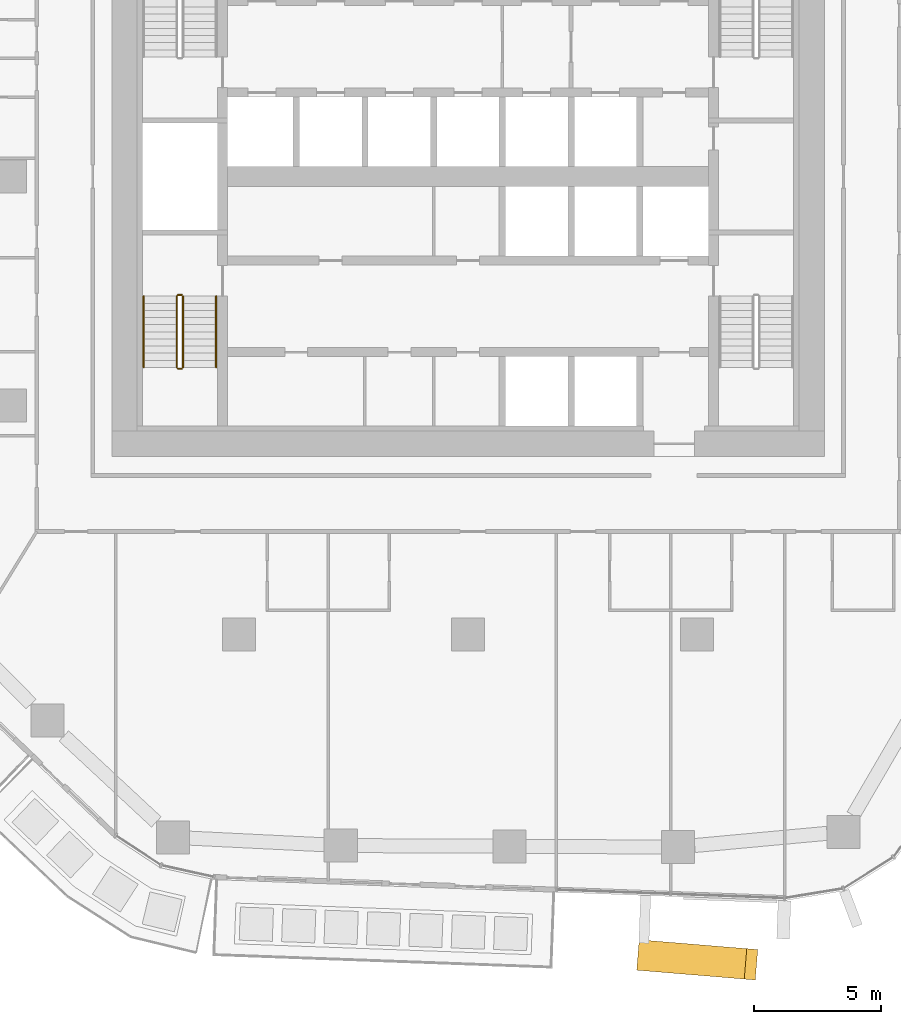
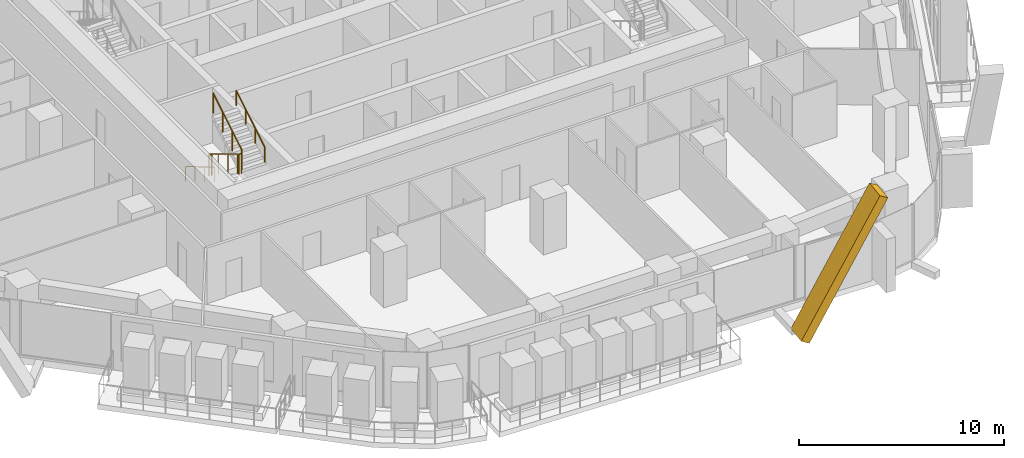
# One storey, part 20 of 24: 6 railings, 1 covering, 1 element without a shape of its own.
"""IFC4 building model written with IfcOpenShell, lengths in metres."""

from ifc_helpers import new_model, si_unit, direction, frame, origin, origin_2d, place, context, subcontext, project, spatial, rectangle, circle, extrude, material, layer, layer_set, material_profile, profile_set, type_object, element, aggregate, save


model = new_model("IFC4")

# Units and contexts
model_context = context("Model", 3, precision=1e-05, world=origin(), true_north=direction((0.0, 1.0)))
body_context = subcontext(model_context, "Body", "Model", "MODEL_VIEW")
ifc_project = project(units=[si_unit("LENGTHUNIT", "METRE"), si_unit("AREAUNIT", "SQUARE_METRE"), si_unit("VOLUMEUNIT", "CUBIC_METRE"), si_unit("PLANEANGLEUNIT", "RADIAN"), si_unit("MASSUNIT", "GRAM", prefix="KILO")], contexts=[model_context])

# Site, building, storey
site_placement = place(None, origin())
site = spatial("IfcSite", under=ifc_project, at=site_placement, CompositionType="ELEMENT")
building_placement = place(site_placement, origin())
building = spatial("IfcBuilding", under=site, at=building_placement, Name="Dongbaek Canopy Tower", CompositionType="ELEMENT")
storey_placement = place(building_placement, frame((0.0, 0.0, 113.699951171875)))
storey = spatial("IfcBuildingStorey", under=building, at=storey_placement, Name="L24", CompositionType="ELEMENT", Elevation=113.699951171875)

# Curtain wall, covering
ifc_material_1 = material(Name="Aluminium 6063-T6 pale anodised", Category="aluminium")
ifc_layer = layer(ifc_material_1, 0.199951171875)
ifc_layer_set = layer_set([ifc_layer], Name="CW-1 unitised tower curtain wall")
curtain_wall_type = type_object("IfcCurtainWallType", Name="CW-1 unitised tower curtain wall", PredefinedType="NOTDEFINED", material=ifc_layer_set)
curtain_wall_placement = place(storey_placement, origin())
curtain_wall = element("IfcCurtainWall", 1, at=curtain_wall_placement, inside=storey, type_object=curtain_wall_type, Name="CW-1 curtain wall F4.1", PredefinedType="NOTDEFINED")
ifc_material_2 = material(Name="Aluminium 6063-T6 pale metal fin", Category="aluminium")
ifc_material_profile = material_profile(ifc_material_2, rectangle(XDim=1.199951171875, YDim=0.5, at=origin_2d()), Name="Crease fin CF1 500 x 1200 pale metal")
ifc_profile_set = profile_set([ifc_material_profile], Name="Aluminium 6063-T6 pale metal fin")
covering_type = type_object("IfcCoveringType", Name="Crease fin CF1 500 x 1200 pale metal", PredefinedType="CLADDING", material=ifc_profile_set)
covering_placement = place(storey_placement, frame((6.8935546875, -30.607666015625, -0.199951171875), z_axis=(0.495657860659, -0.040958965098, 0.867551524893), x_axis=(0.082354853177, 0.996603069511, 0.0)))
covering = element("IfcCovering", 2, at=covering_placement, type_object=covering_type, Name="Crease fin L24 L26 F4", PredefinedType="CLADDING", context=body_context, shape_type="SweptSolid", body=[
    extrude(rectangle(XDim=1.199951171875, YDim=0.5, at=origin_2d()), origin(), (0.0, 0.0, 1.0), 8.529541015625),
])
aggregate(curtain_wall, [covering])

# Railings
ifc_material_3 = material(Name="Stainless steel tube and balusters", Category="steel")
railing_type_1 = type_object("IfcRailingType", Name="Stair guard 1200", PredefinedType="GUARDRAIL", material=ifc_material_3)
railing_1_placement = place(storey_placement, frame((-11.449951171875, -4.699951171875, 0.168212890625)))
element("IfcRailing", 3, at=railing_1_placement, inside=storey, type_object=railing_type_1, Name="L24 ST-D stair guard 1", PredefinedType="GUARDRAIL", context=body_context, shape_type="SweptSolid", body=[
    extrude(circle(Radius=0.02392578125, at=origin_2d()), frame((0.0, 0.0, 1.17578125), z_axis=(0.0, -0.857242210791, 0.514913383045), x_axis=(1.0, 0.0, 0.0)), (0.0, 0.0, 1.0), 3.266357421875),
    extrude(circle(Radius=0.02099609375, at=origin_2d()), origin(), (0.0, 0.0, 1.0), 1.15185546875),
    extrude(circle(Radius=0.02099609375, at=origin_2d()), frame((0.0, -0.933349609375, 0.560546875)), (0.0, 0.0, 1.0), 1.15185546875),
    extrude(circle(Radius=0.02099609375, at=origin_2d()), frame((0.0, -1.86669921875, 1.121337890625)), (0.0, 0.0, 1.0), 1.15185546875),
    extrude(circle(Radius=0.02099609375, at=origin_2d()), frame((0.0, -2.800048828125, 1.681884765625)), (0.0, 0.0, 1.0), 1.15185546875),
])
railing_2_placement = place(storey_placement, frame((-11.39990234375, -7.550048828125, 1.85009765625)))
element("IfcRailing", 4, at=railing_2_placement, inside=storey, type_object=railing_type_1, Name="L24 ST-D stair guard 2", PredefinedType="GUARDRAIL", context=body_context, shape_type="SweptSolid", body=[
    extrude(circle(Radius=0.02392578125, at=origin_2d()), frame((0.0, 0.0, 1.17578125), z_axis=(1.0, 0.0, 0.0), x_axis=(0.0, 1.0, 0.0)), (0.0, 0.0, 1.0), 0.14990234375),
    extrude(circle(Radius=0.02099609375, at=origin_2d()), origin(), (0.0, 0.0, 1.0), 1.15185546875),
    extrude(circle(Radius=0.02099609375, at=origin_2d()), frame((0.14990234375, 0.0, 0.0)), (0.0, 0.0, 1.0), 1.15185546875),
])
railing_3_placement = place(storey_placement, frame((-11.199951171875, -7.5, 2.018310546875)))
element("IfcRailing", 5, at=railing_3_placement, inside=storey, type_object=railing_type_1, Name="L24 ST-D stair guard 3", PredefinedType="GUARDRAIL", context=body_context, shape_type="SweptSolid", body=[
    extrude(circle(Radius=0.02392578125, at=origin_2d()), frame((0.0, 0.0, 1.17578125), z_axis=(0.0, 0.857275202839, 0.514858452973), x_axis=(-1.0, 0.0, 0.0)), (0.0, 0.0, 1.0), 3.26611328125),
    extrude(circle(Radius=0.02099609375, at=origin_2d()), origin(), (0.0, 0.0, 1.0), 1.15185546875),
    extrude(circle(Radius=0.02099609375, at=origin_2d()), frame((0.0, 0.933349609375, 0.560546875)), (0.0, 0.0, 1.0), 1.15185546875),
    extrude(circle(Radius=0.02099609375, at=origin_2d()), frame((0.0, 1.86669921875, 1.12109375)), (0.0, 0.0, 1.0), 1.15185546875),
    extrude(circle(Radius=0.02099609375, at=origin_2d()), frame((0.0, 2.800048828125, 1.681640625)), (0.0, 0.0, 1.0), 1.15185546875),
])
railing_4_placement = place(storey_placement, frame((-11.39990234375, -4.64990234375, 0.0)))
element("IfcRailing", 6, at=railing_4_placement, inside=storey, type_object=railing_type_1, Name="L24 ST-D stair guard 4", PredefinedType="GUARDRAIL", context=body_context, shape_type="SweptSolid", body=[
    extrude(circle(Radius=0.02392578125, at=origin_2d()), frame((0.0, 0.0, 1.17578125), z_axis=(1.0, 0.0, 0.0), x_axis=(0.0, 1.0, 0.0)), (0.0, 0.0, 1.0), 0.14990234375),
    extrude(circle(Radius=0.02099609375, at=origin_2d()), origin(), (0.0, 0.0, 1.0), 1.15185546875),
    extrude(circle(Radius=0.02099609375, at=origin_2d()), frame((0.14990234375, 0.0, 0.0)), (0.0, 0.0, 1.0), 1.15185546875),
])
ifc_material_4 = material(Name="Stainless steel tube", Category="steel")
railing_type_2 = type_object("IfcRailingType", Name="Stair handrail 900", PredefinedType="HANDRAIL", material=ifc_material_4)
railing_5_placement = place(storey_placement, frame((-12.75, -4.699951171875, 0.168212890625)))
element("IfcRailing", 7, at=railing_5_placement, inside=storey, type_object=railing_type_2, Name="L24 ST-D stair handrail 1", PredefinedType="HANDRAIL", context=body_context, shape_type="SweptSolid", body=[
    extrude(circle(Radius=0.02392578125, at=origin_2d()), frame((0.0, 0.0, 0.8759765625), z_axis=(0.0, -0.857242210791, 0.514913383045), x_axis=(1.0, 0.0, 0.0)), (0.0, 0.0, 1.0), 3.266357421875),
    extrude(circle(Radius=0.02099609375, at=origin_2d()), origin(), (0.0, 0.0, 1.0), 0.851806640625),
    extrude(circle(Radius=0.02099609375, at=origin_2d()), frame((0.0, -0.933349609375, 0.560546875)), (0.0, 0.0, 1.0), 0.851806640625),
    extrude(circle(Radius=0.02099609375, at=origin_2d()), frame((0.0, -1.86669921875, 1.121337890625)), (0.0, 0.0, 1.0), 0.851806640625),
    extrude(circle(Radius=0.02099609375, at=origin_2d()), frame((0.0, -2.800048828125, 1.681884765625)), (0.0, 0.0, 1.0), 0.851806640625),
])
railing_6_placement = place(storey_placement, frame((-9.89990234375, -7.5, 2.018310546875)))
element("IfcRailing", 8, at=railing_6_placement, inside=storey, type_object=railing_type_2, Name="L24 ST-D stair handrail 2", PredefinedType="HANDRAIL", context=body_context, shape_type="SweptSolid", body=[
    extrude(circle(Radius=0.02392578125, at=origin_2d()), frame((0.0, 0.0, 0.8759765625), z_axis=(0.0, 0.857275202839, 0.514858452973), x_axis=(-1.0, 0.0, 0.0)), (0.0, 0.0, 1.0), 3.26611328125),
    extrude(circle(Radius=0.02099609375, at=origin_2d()), origin(), (0.0, 0.0, 1.0), 0.851806640625),
    extrude(circle(Radius=0.02099609375, at=origin_2d()), frame((0.0, 0.933349609375, 0.560546875)), (0.0, 0.0, 1.0), 0.851806640625),
    extrude(circle(Radius=0.02099609375, at=origin_2d()), frame((0.0, 1.86669921875, 1.12109375)), (0.0, 0.0, 1.0), 0.851806640625),
    extrude(circle(Radius=0.02099609375, at=origin_2d()), frame((0.0, 2.800048828125, 1.681640625)), (0.0, 0.0, 1.0), 0.851806640625),
])

save(model, "model.ifc")
